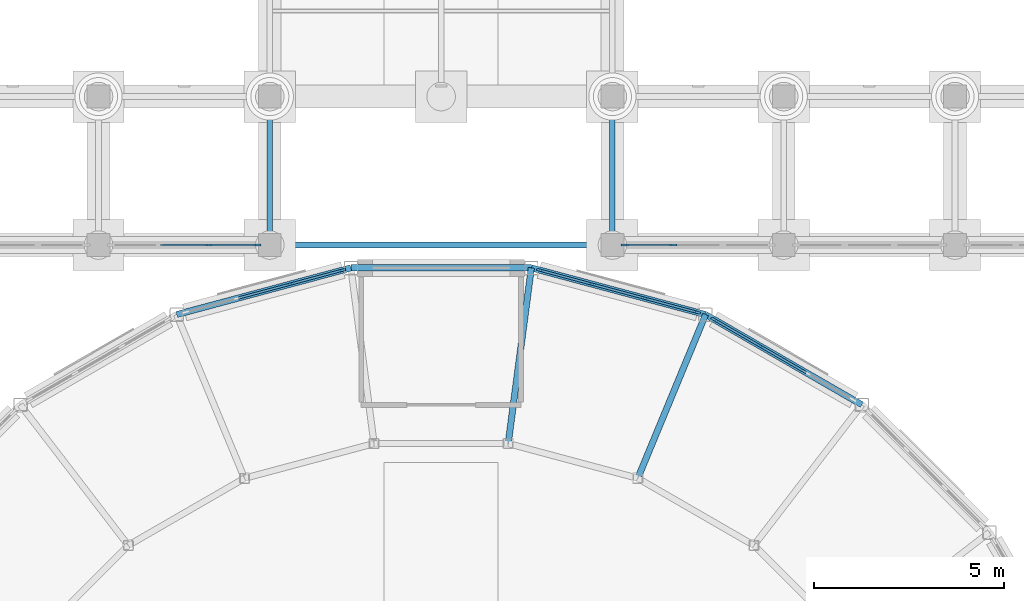
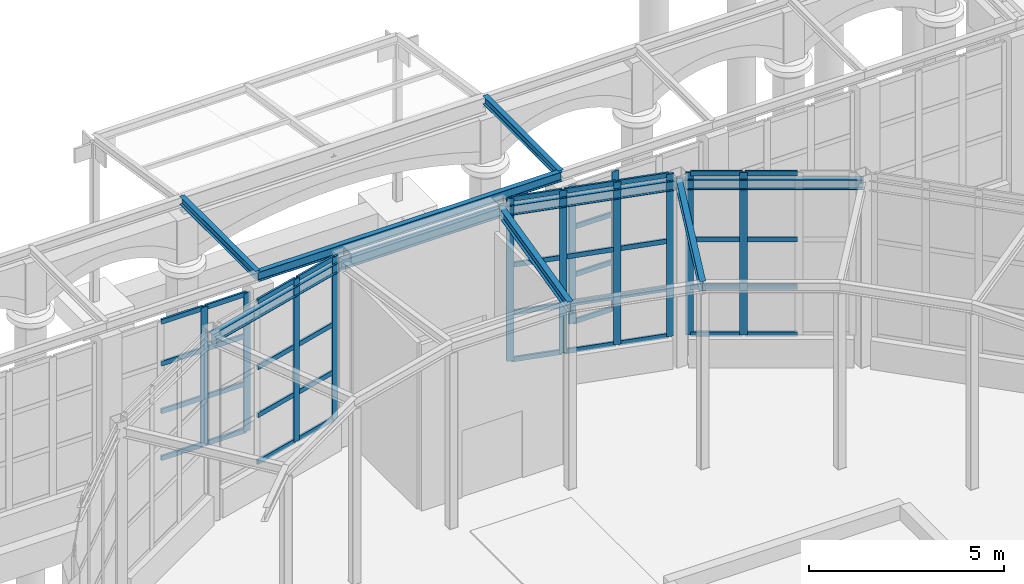
# One storey, part 35 of 106: 51 members, 9 beams, 5 elements without a shape of their own.
"""IFC4 building model written with IfcOpenShell, lengths in metres."""

from ifc_helpers import new_model, si_unit, direction, frame, origin, origin_2d, place, context, subcontext, project, spatial, rectangle, i_section, extrude, material, layer, layer_set, material_profile, profile_set, type_object, element, aggregate, save


model = new_model("IFC4")

# Units and contexts
model_context = context("Model", 3, precision=1e-05, world=origin(), true_north=direction((0.0, 1.0)))
body_context = subcontext(model_context, "Body", "Model", "MODEL_VIEW")
ifc_project = project(units=[si_unit("LENGTHUNIT", "METRE"), si_unit("AREAUNIT", "SQUARE_METRE"), si_unit("VOLUMEUNIT", "CUBIC_METRE"), si_unit("PLANEANGLEUNIT", "RADIAN"), si_unit("MASSUNIT", "GRAM", prefix="KILO")], contexts=[model_context])

# Site, building, storey
site_placement = place(None, origin())
site = spatial("IfcSite", under=ifc_project, at=site_placement, CompositionType="ELEMENT")
building_placement = place(site_placement, origin())
building = spatial("IfcBuilding", under=site, at=building_placement, Name="Hortulan Conservatory and Botanical Research Centre", CompositionType="ELEMENT")
storey_placement = place(building_placement, origin())
storey = spatial("IfcBuildingStorey", under=building, at=storey_placement, Name="L00", CompositionType="ELEMENT", Elevation=0.0)

# Beams
ifc_material_1 = material(Name="Steel Grade 300PLUS (AS/NZS 3679.1, 280 MPa minimum yield)", Category="steel")
ifc_material_profile_1 = material_profile(ifc_material_1, i_section(OverallWidth=0.14599609375, OverallDepth=0.251953125, WebThickness=0.006103515625, FlangeThickness=0.008544921875, FilletRadius=0.0087890625, at=origin_2d()), Name="250UB31.4")
ifc_profile_set_1 = profile_set([ifc_material_profile_1], Name="Steel Grade 300PLUS (AS/NZS 3679.1, 280 MPa minimum yield)")
beam_type_1 = type_object("IfcBeamType", Name="Arcade Cross Beam 250UB31.4", PredefinedType="BEAM", material=ifc_profile_set_1)
for number, where, z_axis, x_axis, name in (
    (1, (49.5, 36.60009765625, 5.674072265625), (0.0, 1.0, 0.0), (-1.0, 0.0, 0.0), "Arcade cross beam 22"),
    (2, (58.5, 36.60009765625, 5.674072265625), (0.0, 1.0, 0.0), (-1.0, 0.0, 0.0), "Arcade cross beam 23"),
):
    element("IfcBeam", number, at=place(storey_placement, frame(where, z_axis=z_axis, x_axis=x_axis)), inside=storey, type_object=beam_type_1, Name=name, PredefinedType="BEAM", context=body_context, shape_type="SweptSolid", body=[
        extrude(i_section(OverallWidth=0.14599609375, OverallDepth=0.251953125, WebThickness=0.006103515625, FlangeThickness=0.008544921875, FilletRadius=0.0087890625, at=origin_2d()), origin(), (0.0, 0.0, 1.0), 3.89990234375),
    ])
ifc_material_profile_2 = material_profile(ifc_material_1, i_section(OverallWidth=0.14892578125, OverallDepth=0.298095703125, WebThickness=0.005615234375, FlangeThickness=0.008056640625, FilletRadius=0.012939453125, at=origin_2d()), Name="310UB32.0")
ifc_profile_set_2 = profile_set([ifc_material_profile_2], Name="Steel Grade 300PLUS (AS/NZS 3679.1, 280 MPa minimum yield)")
beam_type_2 = type_object("IfcBeamType", Name="Arcade Rear Beam 310UB32.0", PredefinedType="BEAM", material=ifc_profile_set_2)
beam_1_placement = place(storey_placement, frame((49.5, 36.60009765625, 5.65087890625), z_axis=(1.0, 0.0, 0.0), x_axis=(0.0, 1.0, 0.0)))
element("IfcBeam", 3, at=beam_1_placement, inside=storey, type_object=beam_type_2, Name="Arcade rear beam 14", PredefinedType="BEAM", context=body_context, shape_type="SweptSolid", body=[
    extrude(i_section(OverallWidth=0.14892578125, OverallDepth=0.298095703125, WebThickness=0.005615234375, FlangeThickness=0.008056640625, FilletRadius=0.012939453125, at=origin_2d()), origin(), (0.0, 0.0, 1.0), 9.0),
])

# Curtain wall, members
ifc_material_2 = material(Name="Bronze-finished aluminium", Category="aluminium")
ifc_layer = layer(ifc_material_2, 0.10009765625)
ifc_layer_set = layer_set([ifc_layer], Name="Bronze-framed Curtain Wall 1500 module")
curtain_wall_type = type_object("IfcCurtainWallType", Name="Bronze-framed Curtain Wall 1500 module", PredefinedType="NOTDEFINED", material=ifc_layer_set)
curtain_wall_1_placement = place(storey_placement, origin())
curtain_wall_1 = element("IfcCurtainWall", 4, at=curtain_wall_1_placement, inside=storey, type_object=curtain_wall_type, Name="Curtain wall", PredefinedType="NOTDEFINED")
ifc_material_profile_3 = material_profile(ifc_material_2, rectangle(XDim=0.06005859375, YDim=0.199951171875, at=origin_2d()), Name="Bronze Mullion 60x200")
ifc_profile_set_3 = profile_set([ifc_material_profile_3], Name="Bronze-finished aluminium")
member_type_1 = type_object("IfcMemberType", Name="Bronze Mullion 60x200", PredefinedType="MULLION", material=ifc_profile_set_3)
member_1_placement = place(storey_placement, frame((61.18115234375, 34.638671875, 0.89990234375), z_axis=(0.0, 0.0, 1.0), x_axis=(0.499981160235, 0.866036280655, 0.0)))
member_1 = element("IfcMember", 5, at=member_1_placement, type_object=member_type_1, Name="CW1 mullion 1", PredefinedType="MULLION", context=body_context, shape_type="SweptSolid", body=[
    extrude(rectangle(XDim=0.06005859375, YDim=0.199951171875, at=origin_2d()), origin(), (0.0, 0.0, 1.0), 5.10009765625),
])
member_2_placement = place(storey_placement, frame((62.385009765625, 33.943603515625, 0.89990234375), z_axis=(0.0, 0.0, 1.0), x_axis=(0.499981160235, 0.866036280655, 0.0)))
member_2 = element("IfcMember", 6, at=member_2_placement, type_object=member_type_1, Name="CW1 mullion 2", PredefinedType="MULLION", context=body_context, shape_type="SweptSolid", body=[
    extrude(rectangle(XDim=0.06005859375, YDim=0.199951171875, at=origin_2d()), origin(), (0.0, 0.0, 1.0), 5.10009765625),
])

curtain_wall_2_placement = place(storey_placement, origin())
curtain_wall_2 = element("IfcCurtainWall", 7, at=curtain_wall_2_placement, inside=storey, type_object=curtain_wall_type, Name="Curtain wall", PredefinedType="NOTDEFINED")
member_3_placement = place(storey_placement, frame((56.60595703125, 35.936767578125, 0.89990234375), z_axis=(0.0, 0.0, 1.0), x_axis=(0.258831936284, 0.965922372015, 0.0)))
member_3 = element("IfcMember", 8, at=member_3_placement, type_object=member_type_1, Name="CW1 mullion 1", PredefinedType="MULLION", context=body_context, shape_type="SweptSolid", body=[
    extrude(rectangle(XDim=0.06005859375, YDim=0.199951171875, at=origin_2d()), origin(), (0.0, 0.0, 1.0), 5.10009765625),
])
member_4_placement = place(storey_placement, frame((57.965087890625, 35.572509765625, 0.89990234375), z_axis=(0.0, 0.0, 1.0), x_axis=(0.258831936284, 0.965922372015, 0.0)))
member_4 = element("IfcMember", 9, at=member_4_placement, type_object=member_type_1, Name="CW1 mullion 2", PredefinedType="MULLION", context=body_context, shape_type="SweptSolid", body=[
    extrude(rectangle(XDim=0.06005859375, YDim=0.199951171875, at=origin_2d()), origin(), (0.0, 0.0, 1.0), 5.10009765625),
])
member_5_placement = place(storey_placement, frame((59.35302734375, 35.20068359375, 0.89990234375), z_axis=(0.0, 0.0, 1.0), x_axis=(0.258831936284, 0.965922372015, 0.0)))
member_5 = element("IfcMember", 10, at=member_5_placement, type_object=member_type_1, Name="CW1 mullion 3", PredefinedType="MULLION", context=body_context, shape_type="SweptSolid", body=[
    extrude(rectangle(XDim=0.06005859375, YDim=0.199951171875, at=origin_2d()), origin(), (0.0, 0.0, 1.0), 5.10009765625),
])
member_6_placement = place(storey_placement, frame((60.7119140625, 34.83642578125, 0.89990234375), z_axis=(0.0, 0.0, 1.0), x_axis=(0.258831936284, 0.965922372015, 0.0)))
member_6 = element("IfcMember", 11, at=member_6_placement, type_object=member_type_1, Name="CW1 mullion 4", PredefinedType="MULLION", context=body_context, shape_type="SweptSolid", body=[
    extrude(rectangle(XDim=0.06005859375, YDim=0.199951171875, at=origin_2d()), origin(), (0.0, 0.0, 1.0), 5.10009765625),
])

curtain_wall_3_placement = place(storey_placement, origin())
curtain_wall_3 = element("IfcCurtainWall", 12, at=curtain_wall_3_placement, inside=storey, type_object=curtain_wall_type, Name="Curtain wall", PredefinedType="NOTDEFINED")
member_7_placement = place(storey_placement, frame((50.034912109375, 35.572509765625, 0.89990234375), z_axis=(0.0, 0.0, 1.0), x_axis=(-0.258831936284, 0.965922372015, 0.0)))
member_7 = element("IfcMember", 13, at=member_7_placement, type_object=member_type_1, Name="CW1 mullion 3", PredefinedType="MULLION", context=body_context, shape_type="SweptSolid", body=[
    extrude(rectangle(XDim=0.06005859375, YDim=0.199951171875, at=origin_2d()), origin(), (0.0, 0.0, 1.0), 5.10009765625),
])
member_8_placement = place(storey_placement, frame((51.39404296875, 35.936767578125, 0.89990234375), z_axis=(0.0, 0.0, 1.0), x_axis=(-0.258831936284, 0.965922372015, 0.0)))
member_8 = element("IfcMember", 14, at=member_8_placement, type_object=member_type_1, Name="CW1 mullion 4", PredefinedType="MULLION", context=body_context, shape_type="SweptSolid", body=[
    extrude(rectangle(XDim=0.06005859375, YDim=0.199951171875, at=origin_2d()), origin(), (0.0, 0.0, 1.0), 5.10009765625),
])

curtain_wall_4_placement = place(storey_placement, origin())
curtain_wall_4 = element("IfcCurtainWall", 15, at=curtain_wall_4_placement, inside=storey, type_object=curtain_wall_type, Name="Curtain wall", PredefinedType="NOTDEFINED")
member_9_placement = place(storey_placement, frame((47.89990234375, 36.60009765625, 0.89990234375), z_axis=(0.0, 0.0, 1.0), x_axis=(0.0, 1.0, 0.0)))
member_9 = element("IfcMember", 16, at=member_9_placement, type_object=member_type_1, Name="CW1 mullion 3", PredefinedType="MULLION", context=body_context, shape_type="SweptSolid", body=[
    extrude(rectangle(XDim=0.06005859375, YDim=0.199951171875, at=origin_2d()), origin(), (0.0, 0.0, 1.0), 4.340087890625),
])
member_10_placement = place(storey_placement, frame((49.169921875, 36.60009765625, 0.89990234375), z_axis=(0.0, 0.0, 1.0), x_axis=(0.0, 1.0, 0.0)))
member_10 = element("IfcMember", 17, at=member_10_placement, type_object=member_type_1, Name="CW1 mullion 4", PredefinedType="MULLION", context=body_context, shape_type="SweptSolid", body=[
    extrude(rectangle(XDim=0.06005859375, YDim=0.199951171875, at=origin_2d()), origin(), (0.0, 0.0, 1.0), 4.340087890625),
])

curtain_wall_5_placement = place(storey_placement, origin())
curtain_wall_5 = element("IfcCurtainWall", 18, at=curtain_wall_5_placement, inside=storey, type_object=curtain_wall_type, Name="Curtain wall", PredefinedType="NOTDEFINED")
member_11_placement = place(storey_placement, frame((58.830078125, 36.60009765625, 0.89990234375), z_axis=(0.0, 0.0, 1.0), x_axis=(0.0, 1.0, 0.0)))
member_11 = element("IfcMember", 19, at=member_11_placement, type_object=member_type_1, Name="CW1 mullion 1", PredefinedType="MULLION", context=body_context, shape_type="SweptSolid", body=[
    extrude(rectangle(XDim=0.06005859375, YDim=0.199951171875, at=origin_2d()), origin(), (0.0, 0.0, 1.0), 4.340087890625),
])
member_12_placement = place(storey_placement, frame((60.10009765625, 36.60009765625, 0.89990234375), z_axis=(0.0, 0.0, 1.0), x_axis=(0.0, 1.0, 0.0)))
member_12 = element("IfcMember", 20, at=member_12_placement, type_object=member_type_1, Name="CW1 mullion 2", PredefinedType="MULLION", context=body_context, shape_type="SweptSolid", body=[
    extrude(rectangle(XDim=0.06005859375, YDim=0.199951171875, at=origin_2d()), origin(), (0.0, 0.0, 1.0), 4.340087890625),
])

# Member
ifc_material_profile_4 = material_profile(ifc_material_2, rectangle(XDim=0.06005859375, YDim=0.14990234375, at=origin_2d()), Name="Bronze Transom 60x150")
ifc_profile_set_4 = profile_set([ifc_material_profile_4], Name="Bronze-finished aluminium")
member_type_2 = type_object("IfcMemberType", Name="Bronze Transom 60x150", PredefinedType="USERDEFINED", material=ifc_profile_set_4)
member_13_placement = place(storey_placement, frame((61.20703125, 34.62353515625, 0.929931640625), z_axis=(0.866066400931, -0.499928984136, 0.0), x_axis=(0.499928984136, 0.866066400931, 0.0)))
member_13 = element("IfcMember", 21, at=member_13_placement, type_object=member_type_2, Name="CW1 transom 1.1", ObjectType="TRANSOM", PredefinedType="USERDEFINED", context=body_context, shape_type="SweptSolid", body=[
    extrude(rectangle(XDim=0.06005859375, YDim=0.14990234375, at=origin_2d()), origin(), (0.0, 0.0, 1.0), 1.330322265625),
])

member_14_placement = place(storey_placement, frame((61.20703125, 34.62353515625, 2.39990234375), z_axis=(0.866066400931, -0.499928984136, 0.0), x_axis=(0.499928984136, 0.866066400931, 0.0)))
member_14 = element("IfcMember", 22, at=member_14_placement, type_object=member_type_2, Name="CW1 transom 1.2", ObjectType="TRANSOM", PredefinedType="USERDEFINED", context=body_context, shape_type="SweptSolid", body=[
    extrude(rectangle(XDim=0.06005859375, YDim=0.14990234375, at=origin_2d()), origin(), (0.0, 0.0, 1.0), 1.330322265625),
])

member_15_placement = place(storey_placement, frame((61.20703125, 34.62353515625, 3.89990234375), z_axis=(0.866066400931, -0.499928984136, 0.0), x_axis=(0.499928984136, 0.866066400931, 0.0)))
member_15 = element("IfcMember", 23, at=member_15_placement, type_object=member_type_2, Name="CW1 transom 1.3", ObjectType="TRANSOM", PredefinedType="USERDEFINED", context=body_context, shape_type="SweptSolid", body=[
    extrude(rectangle(XDim=0.06005859375, YDim=0.14990234375, at=origin_2d()), origin(), (0.0, 0.0, 1.0), 1.330322265625),
])

member_16_placement = place(storey_placement, frame((61.20703125, 34.62353515625, 5.969970703125), z_axis=(0.866066400931, -0.499928984136, 0.0), x_axis=(0.499928984136, 0.866066400931, 0.0)))
member_16 = element("IfcMember", 24, at=member_16_placement, type_object=member_type_2, Name="CW1 transom 1.4", ObjectType="TRANSOM", PredefinedType="USERDEFINED", context=body_context, shape_type="SweptSolid", body=[
    extrude(rectangle(XDim=0.06005859375, YDim=0.14990234375, at=origin_2d()), origin(), (0.0, 0.0, 1.0), 1.330322265625),
])

member_17_placement = place(storey_placement, frame((62.4111328125, 33.928466796875, 0.929931640625), z_axis=(0.866036107898, -0.499981459473, 0.0), x_axis=(0.499981459473, 0.866036107898, 0.0)))
member_17 = element("IfcMember", 25, at=member_17_placement, type_object=member_type_2, Name="CW1 transom 2.1", ObjectType="TRANSOM", PredefinedType="USERDEFINED", context=body_context, shape_type="SweptSolid", body=[
    extrude(rectangle(XDim=0.06005859375, YDim=0.14990234375, at=origin_2d()), origin(), (0.0, 0.0, 1.0), 1.35986328125),
])

member_18_placement = place(storey_placement, frame((62.4111328125, 33.928466796875, 2.39990234375), z_axis=(0.866036107898, -0.499981459473, 0.0), x_axis=(0.499981459473, 0.866036107898, 0.0)))
member_18 = element("IfcMember", 26, at=member_18_placement, type_object=member_type_2, Name="CW1 transom 2.2", ObjectType="TRANSOM", PredefinedType="USERDEFINED", context=body_context, shape_type="SweptSolid", body=[
    extrude(rectangle(XDim=0.06005859375, YDim=0.14990234375, at=origin_2d()), origin(), (0.0, 0.0, 1.0), 1.35986328125),
])

member_19_placement = place(storey_placement, frame((62.4111328125, 33.928466796875, 3.89990234375), z_axis=(0.866036107898, -0.499981459473, 0.0), x_axis=(0.499981459473, 0.866036107898, 0.0)))
member_19 = element("IfcMember", 27, at=member_19_placement, type_object=member_type_2, Name="CW1 transom 2.3", ObjectType="TRANSOM", PredefinedType="USERDEFINED", context=body_context, shape_type="SweptSolid", body=[
    extrude(rectangle(XDim=0.06005859375, YDim=0.14990234375, at=origin_2d()), origin(), (0.0, 0.0, 1.0), 1.35986328125),
])

member_20_placement = place(storey_placement, frame((62.4111328125, 33.928466796875, 5.969970703125), z_axis=(0.866036107898, -0.499981459473, 0.0), x_axis=(0.499981459473, 0.866036107898, 0.0)))
member_20 = element("IfcMember", 28, at=member_20_placement, type_object=member_type_2, Name="CW1 transom 2.4", ObjectType="TRANSOM", PredefinedType="USERDEFINED", context=body_context, shape_type="SweptSolid", body=[
    extrude(rectangle(XDim=0.06005859375, YDim=0.14990234375, at=origin_2d()), origin(), (0.0, 0.0, 1.0), 1.35986328125),
])

aggregate(curtain_wall_1, [member_1, member_2, member_13, member_14, member_15, member_16, member_17, member_18, member_19, member_20])

member_21_placement = place(storey_placement, frame((56.635009765625, 35.928955078125, 0.929931640625), z_axis=(0.965921351189, -0.258835745824, 0.0), x_axis=(0.258835745824, 0.965921351189, 0.0)))
member_21 = element("IfcMember", 29, at=member_21_placement, type_object=member_type_2, Name="CW1 transom 1.1", ObjectType="TRANSOM", PredefinedType="USERDEFINED", context=body_context, shape_type="SweptSolid", body=[
    extrude(rectangle(XDim=0.06005859375, YDim=0.14990234375, at=origin_2d()), origin(), (0.0, 0.0, 1.0), 1.346923828125),
])

member_22_placement = place(storey_placement, frame((56.635009765625, 35.928955078125, 2.39990234375), z_axis=(0.965921351189, -0.258835745824, 0.0), x_axis=(0.258835745824, 0.965921351189, 0.0)))
member_22 = element("IfcMember", 30, at=member_22_placement, type_object=member_type_2, Name="CW1 transom 1.2", ObjectType="TRANSOM", PredefinedType="USERDEFINED", context=body_context, shape_type="SweptSolid", body=[
    extrude(rectangle(XDim=0.06005859375, YDim=0.14990234375, at=origin_2d()), origin(), (0.0, 0.0, 1.0), 1.346923828125),
])

member_23_placement = place(storey_placement, frame((56.635009765625, 35.928955078125, 3.89990234375), z_axis=(0.965921351189, -0.258835745824, 0.0), x_axis=(0.258835745824, 0.965921351189, 0.0)))
member_23 = element("IfcMember", 31, at=member_23_placement, type_object=member_type_2, Name="CW1 transom 1.3", ObjectType="TRANSOM", PredefinedType="USERDEFINED", context=body_context, shape_type="SweptSolid", body=[
    extrude(rectangle(XDim=0.06005859375, YDim=0.14990234375, at=origin_2d()), origin(), (0.0, 0.0, 1.0), 1.346923828125),
])

member_24_placement = place(storey_placement, frame((56.635009765625, 35.928955078125, 5.969970703125), z_axis=(0.965921351189, -0.258835745824, 0.0), x_axis=(0.258835745824, 0.965921351189, 0.0)))
member_24 = element("IfcMember", 32, at=member_24_placement, type_object=member_type_2, Name="CW1 transom 1.4", ObjectType="TRANSOM", PredefinedType="USERDEFINED", context=body_context, shape_type="SweptSolid", body=[
    extrude(rectangle(XDim=0.06005859375, YDim=0.14990234375, at=origin_2d()), origin(), (0.0, 0.0, 1.0), 1.346923828125),
])

member_25_placement = place(storey_placement, frame((57.993896484375, 35.564697265625, 0.929931640625), z_axis=(0.965960711262, -0.258688817498, 0.0), x_axis=(0.258688817498, 0.965960711262, 0.0)))
member_25 = element("IfcMember", 33, at=member_25_placement, type_object=member_type_2, Name="CW1 transom 2.1", ObjectType="TRANSOM", PredefinedType="USERDEFINED", context=body_context, shape_type="SweptSolid", body=[
    extrude(rectangle(XDim=0.06005859375, YDim=0.14990234375, at=origin_2d()), origin(), (0.0, 0.0, 1.0), 1.376953125),
])

member_26_placement = place(storey_placement, frame((57.993896484375, 35.564697265625, 2.39990234375), z_axis=(0.965960711262, -0.258688817498, 0.0), x_axis=(0.258688817498, 0.965960711262, 0.0)))
member_26 = element("IfcMember", 34, at=member_26_placement, type_object=member_type_2, Name="CW1 transom 2.2", ObjectType="TRANSOM", PredefinedType="USERDEFINED", context=body_context, shape_type="SweptSolid", body=[
    extrude(rectangle(XDim=0.06005859375, YDim=0.14990234375, at=origin_2d()), origin(), (0.0, 0.0, 1.0), 1.376953125),
])

member_27_placement = place(storey_placement, frame((57.993896484375, 35.564697265625, 3.89990234375), z_axis=(0.965960711262, -0.258688817498, 0.0), x_axis=(0.258688817498, 0.965960711262, 0.0)))
member_27 = element("IfcMember", 35, at=member_27_placement, type_object=member_type_2, Name="CW1 transom 2.3", ObjectType="TRANSOM", PredefinedType="USERDEFINED", context=body_context, shape_type="SweptSolid", body=[
    extrude(rectangle(XDim=0.06005859375, YDim=0.14990234375, at=origin_2d()), origin(), (0.0, 0.0, 1.0), 1.376953125),
])

member_28_placement = place(storey_placement, frame((57.993896484375, 35.564697265625, 5.969970703125), z_axis=(0.965960711262, -0.258688817498, 0.0), x_axis=(0.258688817498, 0.965960711262, 0.0)))
member_28 = element("IfcMember", 36, at=member_28_placement, type_object=member_type_2, Name="CW1 transom 2.4", ObjectType="TRANSOM", PredefinedType="USERDEFINED", context=body_context, shape_type="SweptSolid", body=[
    extrude(rectangle(XDim=0.06005859375, YDim=0.14990234375, at=origin_2d()), origin(), (0.0, 0.0, 1.0), 1.376953125),
])

member_29_placement = place(storey_placement, frame((59.382080078125, 35.19287109375, 0.929931640625), z_axis=(0.965921351189, -0.258835745824, 0.0), x_axis=(0.258835745824, 0.965921351189, 0.0)))
member_29 = element("IfcMember", 37, at=member_29_placement, type_object=member_type_2, Name="CW1 transom 3.1", ObjectType="TRANSOM", PredefinedType="USERDEFINED", context=body_context, shape_type="SweptSolid", body=[
    extrude(rectangle(XDim=0.06005859375, YDim=0.14990234375, at=origin_2d()), origin(), (0.0, 0.0, 1.0), 1.346923828125),
])

member_30_placement = place(storey_placement, frame((59.382080078125, 35.19287109375, 2.39990234375), z_axis=(0.965921351189, -0.258835745824, 0.0), x_axis=(0.258835745824, 0.965921351189, 0.0)))
member_30 = element("IfcMember", 38, at=member_30_placement, type_object=member_type_2, Name="CW1 transom 3.2", ObjectType="TRANSOM", PredefinedType="USERDEFINED", context=body_context, shape_type="SweptSolid", body=[
    extrude(rectangle(XDim=0.06005859375, YDim=0.14990234375, at=origin_2d()), origin(), (0.0, 0.0, 1.0), 1.346923828125),
])

member_31_placement = place(storey_placement, frame((59.382080078125, 35.19287109375, 3.89990234375), z_axis=(0.965921351189, -0.258835745824, 0.0), x_axis=(0.258835745824, 0.965921351189, 0.0)))
member_31 = element("IfcMember", 39, at=member_31_placement, type_object=member_type_2, Name="CW1 transom 3.3", ObjectType="TRANSOM", PredefinedType="USERDEFINED", context=body_context, shape_type="SweptSolid", body=[
    extrude(rectangle(XDim=0.06005859375, YDim=0.14990234375, at=origin_2d()), origin(), (0.0, 0.0, 1.0), 1.346923828125),
])

member_32_placement = place(storey_placement, frame((59.382080078125, 35.19287109375, 5.969970703125), z_axis=(0.965921351189, -0.258835745824, 0.0), x_axis=(0.258835745824, 0.965921351189, 0.0)))
member_32 = element("IfcMember", 40, at=member_32_placement, type_object=member_type_2, Name="CW1 transom 3.4", ObjectType="TRANSOM", PredefinedType="USERDEFINED", context=body_context, shape_type="SweptSolid", body=[
    extrude(rectangle(XDim=0.06005859375, YDim=0.14990234375, at=origin_2d()), origin(), (0.0, 0.0, 1.0), 1.346923828125),
])

aggregate(curtain_wall_2, [member_3, member_4, member_5, member_6, member_21, member_22, member_23, member_24, member_25, member_26, member_27, member_28, member_29, member_30, member_31, member_32])

member_33_placement = place(storey_placement, frame((48.676025390625, 35.20849609375, 0.929931640625), z_axis=(0.965960711262, 0.258688817498, 0.0), x_axis=(-0.258688817498, 0.965960711262, 0.0)))
member_33 = element("IfcMember", 41, at=member_33_placement, type_object=member_type_2, Name="CW1 transom 2.1", ObjectType="TRANSOM", PredefinedType="USERDEFINED", context=body_context, shape_type="SweptSolid", body=[
    extrude(rectangle(XDim=0.06005859375, YDim=0.14990234375, at=origin_2d()), origin(), (0.0, 0.0, 1.0), 1.376953125),
])

member_34_placement = place(storey_placement, frame((48.676025390625, 35.20849609375, 2.39990234375), z_axis=(0.965960711262, 0.258688817498, 0.0), x_axis=(-0.258688817498, 0.965960711262, 0.0)))
member_34 = element("IfcMember", 42, at=member_34_placement, type_object=member_type_2, Name="CW1 transom 2.2", ObjectType="TRANSOM", PredefinedType="USERDEFINED", context=body_context, shape_type="SweptSolid", body=[
    extrude(rectangle(XDim=0.06005859375, YDim=0.14990234375, at=origin_2d()), origin(), (0.0, 0.0, 1.0), 1.376953125),
])

member_35_placement = place(storey_placement, frame((48.676025390625, 35.20849609375, 3.89990234375), z_axis=(0.965960711262, 0.258688817498, 0.0), x_axis=(-0.258688817498, 0.965960711262, 0.0)))
member_35 = element("IfcMember", 43, at=member_35_placement, type_object=member_type_2, Name="CW1 transom 2.3", ObjectType="TRANSOM", PredefinedType="USERDEFINED", context=body_context, shape_type="SweptSolid", body=[
    extrude(rectangle(XDim=0.06005859375, YDim=0.14990234375, at=origin_2d()), origin(), (0.0, 0.0, 1.0), 1.376953125),
])

member_36_placement = place(storey_placement, frame((48.676025390625, 35.20849609375, 5.969970703125), z_axis=(0.965960711262, 0.258688817498, 0.0), x_axis=(-0.258688817498, 0.965960711262, 0.0)))
member_36 = element("IfcMember", 44, at=member_36_placement, type_object=member_type_2, Name="CW1 transom 2.4", ObjectType="TRANSOM", PredefinedType="USERDEFINED", context=body_context, shape_type="SweptSolid", body=[
    extrude(rectangle(XDim=0.06005859375, YDim=0.14990234375, at=origin_2d()), origin(), (0.0, 0.0, 1.0), 1.376953125),
])

member_37_placement = place(storey_placement, frame((50.06396484375, 35.580322265625, 0.929931640625), z_axis=(0.965921351189, 0.258835745824, 0.0), x_axis=(-0.258835745824, 0.965921351189, 0.0)))
member_37 = element("IfcMember", 45, at=member_37_placement, type_object=member_type_2, Name="CW1 transom 3.1", ObjectType="TRANSOM", PredefinedType="USERDEFINED", context=body_context, shape_type="SweptSolid", body=[
    extrude(rectangle(XDim=0.06005859375, YDim=0.14990234375, at=origin_2d()), origin(), (0.0, 0.0, 1.0), 1.346923828125),
])

member_38_placement = place(storey_placement, frame((50.06396484375, 35.580322265625, 2.39990234375), z_axis=(0.965921351189, 0.258835745824, 0.0), x_axis=(-0.258835745824, 0.965921351189, 0.0)))
member_38 = element("IfcMember", 46, at=member_38_placement, type_object=member_type_2, Name="CW1 transom 3.2", ObjectType="TRANSOM", PredefinedType="USERDEFINED", context=body_context, shape_type="SweptSolid", body=[
    extrude(rectangle(XDim=0.06005859375, YDim=0.14990234375, at=origin_2d()), origin(), (0.0, 0.0, 1.0), 1.346923828125),
])

member_39_placement = place(storey_placement, frame((50.06396484375, 35.580322265625, 3.89990234375), z_axis=(0.965921351189, 0.258835745824, 0.0), x_axis=(-0.258835745824, 0.965921351189, 0.0)))
member_39 = element("IfcMember", 47, at=member_39_placement, type_object=member_type_2, Name="CW1 transom 3.3", ObjectType="TRANSOM", PredefinedType="USERDEFINED", context=body_context, shape_type="SweptSolid", body=[
    extrude(rectangle(XDim=0.06005859375, YDim=0.14990234375, at=origin_2d()), origin(), (0.0, 0.0, 1.0), 1.346923828125),
])

member_40_placement = place(storey_placement, frame((50.06396484375, 35.580322265625, 5.969970703125), z_axis=(0.965921351189, 0.258835745824, 0.0), x_axis=(-0.258835745824, 0.965921351189, 0.0)))
member_40 = element("IfcMember", 48, at=member_40_placement, type_object=member_type_2, Name="CW1 transom 3.4", ObjectType="TRANSOM", PredefinedType="USERDEFINED", context=body_context, shape_type="SweptSolid", body=[
    extrude(rectangle(XDim=0.06005859375, YDim=0.14990234375, at=origin_2d()), origin(), (0.0, 0.0, 1.0), 1.346923828125),
])

aggregate(curtain_wall_3, [member_7, member_8, member_33, member_34, member_35, member_36, member_37, member_38, member_39, member_40])

member_41_placement = place(storey_placement, frame((46.6298828125, 36.60009765625, 0.929931640625), z_axis=(1.0, 0.0, 0.0), x_axis=(0.0, 1.0, 0.0)))
member_41 = element("IfcMember", 49, at=member_41_placement, type_object=member_type_2, Name="CW1 transom 2.1", ObjectType="TRANSOM", PredefinedType="USERDEFINED", context=body_context, shape_type="SweptSolid", body=[
    extrude(rectangle(XDim=0.06005859375, YDim=0.14990234375, at=origin_2d()), origin(), (0.0, 0.0, 1.0), 1.240234375),
])

member_42_placement = place(storey_placement, frame((46.6298828125, 36.60009765625, 2.39990234375), z_axis=(1.0, 0.0, 0.0), x_axis=(0.0, 1.0, 0.0)))
member_42 = element("IfcMember", 50, at=member_42_placement, type_object=member_type_2, Name="CW1 transom 2.2", ObjectType="TRANSOM", PredefinedType="USERDEFINED", context=body_context, shape_type="SweptSolid", body=[
    extrude(rectangle(XDim=0.06005859375, YDim=0.14990234375, at=origin_2d()), origin(), (0.0, 0.0, 1.0), 1.240234375),
])

member_43_placement = place(storey_placement, frame((46.6298828125, 36.60009765625, 3.89990234375), z_axis=(1.0, 0.0, 0.0), x_axis=(0.0, 1.0, 0.0)))
member_43 = element("IfcMember", 51, at=member_43_placement, type_object=member_type_2, Name="CW1 transom 2.3", ObjectType="TRANSOM", PredefinedType="USERDEFINED", context=body_context, shape_type="SweptSolid", body=[
    extrude(rectangle(XDim=0.06005859375, YDim=0.14990234375, at=origin_2d()), origin(), (0.0, 0.0, 1.0), 1.240234375),
])

member_44_placement = place(storey_placement, frame((46.6298828125, 36.60009765625, 5.2099609375), z_axis=(1.0, 0.0, 0.0), x_axis=(0.0, 1.0, 0.0)))
member_44 = element("IfcMember", 52, at=member_44_placement, type_object=member_type_2, Name="CW1 transom 2.4", ObjectType="TRANSOM", PredefinedType="USERDEFINED", context=body_context, shape_type="SweptSolid", body=[
    extrude(rectangle(XDim=0.06005859375, YDim=0.14990234375, at=origin_2d()), origin(), (0.0, 0.0, 1.0), 1.240234375),
])

member_45_placement = place(storey_placement, frame((47.929931640625, 36.60009765625, 0.929931640625), z_axis=(1.0, 0.0, 0.0), x_axis=(0.0, 1.0, 0.0)))
member_45 = element("IfcMember", 53, at=member_45_placement, type_object=member_type_2, Name="CW1 transom 3.1", ObjectType="TRANSOM", PredefinedType="USERDEFINED", context=body_context, shape_type="SweptSolid", body=[
    extrude(rectangle(XDim=0.06005859375, YDim=0.14990234375, at=origin_2d()), origin(), (0.0, 0.0, 1.0), 1.2099609375),
])

member_46_placement = place(storey_placement, frame((47.929931640625, 36.60009765625, 2.39990234375), z_axis=(1.0, 0.0, 0.0), x_axis=(0.0, 1.0, 0.0)))
member_46 = element("IfcMember", 54, at=member_46_placement, type_object=member_type_2, Name="CW1 transom 3.2", ObjectType="TRANSOM", PredefinedType="USERDEFINED", context=body_context, shape_type="SweptSolid", body=[
    extrude(rectangle(XDim=0.06005859375, YDim=0.14990234375, at=origin_2d()), origin(), (0.0, 0.0, 1.0), 1.2099609375),
])

member_47_placement = place(storey_placement, frame((47.929931640625, 36.60009765625, 3.89990234375), z_axis=(1.0, 0.0, 0.0), x_axis=(0.0, 1.0, 0.0)))
member_47 = element("IfcMember", 55, at=member_47_placement, type_object=member_type_2, Name="CW1 transom 3.3", ObjectType="TRANSOM", PredefinedType="USERDEFINED", context=body_context, shape_type="SweptSolid", body=[
    extrude(rectangle(XDim=0.06005859375, YDim=0.14990234375, at=origin_2d()), origin(), (0.0, 0.0, 1.0), 1.2099609375),
])

member_48_placement = place(storey_placement, frame((47.929931640625, 36.60009765625, 5.2099609375), z_axis=(1.0, 0.0, 0.0), x_axis=(0.0, 1.0, 0.0)))
member_48 = element("IfcMember", 56, at=member_48_placement, type_object=member_type_2, Name="CW1 transom 3.4", ObjectType="TRANSOM", PredefinedType="USERDEFINED", context=body_context, shape_type="SweptSolid", body=[
    extrude(rectangle(XDim=0.06005859375, YDim=0.14990234375, at=origin_2d()), origin(), (0.0, 0.0, 1.0), 1.2099609375),
])

aggregate(curtain_wall_4, [member_9, member_10, member_41, member_42, member_43, member_44, member_45, member_46, member_47, member_48])

member_49_placement = place(storey_placement, frame((58.860107421875, 36.60009765625, 0.929931640625), z_axis=(1.0, 0.0, 0.0), x_axis=(0.0, 1.0, 0.0)))
member_49 = element("IfcMember", 57, at=member_49_placement, type_object=member_type_2, Name="CW1 transom 1.1", ObjectType="TRANSOM", PredefinedType="USERDEFINED", context=body_context, shape_type="SweptSolid", body=[
    extrude(rectangle(XDim=0.06005859375, YDim=0.14990234375, at=origin_2d()), origin(), (0.0, 0.0, 1.0), 1.2099609375),
])

member_50_placement = place(storey_placement, frame((58.860107421875, 36.60009765625, 2.39990234375), z_axis=(1.0, 0.0, 0.0), x_axis=(0.0, 1.0, 0.0)))
member_50 = element("IfcMember", 58, at=member_50_placement, type_object=member_type_2, Name="CW1 transom 1.2", ObjectType="TRANSOM", PredefinedType="USERDEFINED", context=body_context, shape_type="SweptSolid", body=[
    extrude(rectangle(XDim=0.06005859375, YDim=0.14990234375, at=origin_2d()), origin(), (0.0, 0.0, 1.0), 1.2099609375),
])

member_51_placement = place(storey_placement, frame((58.860107421875, 36.60009765625, 3.89990234375), z_axis=(1.0, 0.0, 0.0), x_axis=(0.0, 1.0, 0.0)))
member_51 = element("IfcMember", 59, at=member_51_placement, type_object=member_type_2, Name="CW1 transom 1.3", ObjectType="TRANSOM", PredefinedType="USERDEFINED", context=body_context, shape_type="SweptSolid", body=[
    extrude(rectangle(XDim=0.06005859375, YDim=0.14990234375, at=origin_2d()), origin(), (0.0, 0.0, 1.0), 1.2099609375),
])

aggregate(curtain_wall_5, [member_11, member_12, member_49, member_50, member_51])

# Beams
ifc_material_profile_5 = material_profile(ifc_material_1, i_section(OverallWidth=0.166015625, OverallDepth=0.306884765625, WebThickness=0.006591796875, FlangeThickness=0.01171875, FilletRadius=0.011474609375, at=origin_2d()), Name="310UB46.2")
ifc_profile_set_5 = profile_set([ifc_material_profile_5], Name="Steel Grade 300PLUS (AS/NZS 3679.1, 280 MPa minimum yield)")
beam_type_3 = type_object("IfcBeamType", Name="Dome Canopy Walk Beam 310UB46.2", PredefinedType="BEAM", material=ifc_profile_set_5)
for number, where, z_axis, x_axis, name in (
    (60, (59.166259765625, 30.472412109375, 5.646484375), (0.382693006879, 0.92387556656, 0.0), (-0.92387556656, 0.382693006879, 0.0), "Canopy walk radial beam 05"),
    (61, (55.76220703125, 31.384521484375, 5.646484375), (0.130480288196, 0.991450903672, 0.0), (-0.991450903672, 0.130480288196, 0.0), "Canopy walk radial beam 06"),
):
    element("IfcBeam", number, at=place(storey_placement, frame(where, z_axis=z_axis, x_axis=x_axis)), inside=storey, type_object=beam_type_3, Name=name, PredefinedType="BEAM", context=body_context, shape_type="SweptSolid", body=[
        extrude(i_section(OverallWidth=0.166015625, OverallDepth=0.306884765625, WebThickness=0.006591796875, FlangeThickness=0.01171875, FilletRadius=0.011474609375, at=origin_2d()), origin(), (0.0, 0.0, 1.0), 4.6552734375),
    ])
beam_2_placement = place(storey_placement, frame((65.05224609375, 32.403564453125, 5.646484375), z_axis=(-0.866034609785, 0.4999840544, 0.0), x_axis=(-0.4999840544, -0.866034609785, 0.0)))
element("IfcBeam", 62, at=beam_2_placement, inside=storey, type_object=beam_type_3, Name="Canopy walk edge beam 04", PredefinedType="BEAM", context=body_context, shape_type="SweptSolid", body=[
    extrude(i_section(OverallWidth=0.166015625, OverallDepth=0.306884765625, WebThickness=0.006591796875, FlangeThickness=0.01171875, FilletRadius=0.011474609375, at=origin_2d()), origin(), (0.0, 0.0, 1.0), 4.739501953125),
])
beam_3_placement = place(storey_placement, frame((60.94775390625, 34.773193359375, 5.646484375), z_axis=(-0.965920459439, 0.258839073629, 0.0), x_axis=(-0.258839073629, -0.965920459439, 0.0)))
element("IfcBeam", 63, at=beam_3_placement, inside=storey, type_object=beam_type_3, Name="Canopy walk edge beam 05", PredefinedType="BEAM", context=body_context, shape_type="SweptSolid", body=[
    extrude(i_section(OverallWidth=0.166015625, OverallDepth=0.306884765625, WebThickness=0.006591796875, FlangeThickness=0.01171875, FilletRadius=0.011474609375, at=origin_2d()), origin(), (0.0, 0.0, 1.0), 4.73974609375),
])
beam_4_placement = place(storey_placement, frame((56.36962890625, 36.0, 5.646484375), z_axis=(-1.0, 0.0, 0.0), x_axis=(0.0, -1.0, 0.0)))
element("IfcBeam", 64, at=beam_4_placement, inside=storey, type_object=beam_type_3, Name="Canopy walk edge beam 06", PredefinedType="BEAM", context=body_context, shape_type="SweptSolid", body=[
    extrude(i_section(OverallWidth=0.166015625, OverallDepth=0.306884765625, WebThickness=0.006591796875, FlangeThickness=0.01171875, FilletRadius=0.011474609375, at=origin_2d()), origin(), (0.0, 0.0, 1.0), 4.7392578125),
])
beam_5_placement = place(storey_placement, frame((51.63037109375, 36.0, 5.646484375), z_axis=(-0.965920459439, -0.258839073629, 0.0), x_axis=(0.258839073629, -0.965920459439, 0.0)))
element("IfcBeam", 65, at=beam_5_placement, inside=storey, type_object=beam_type_3, Name="Canopy walk edge beam 07", PredefinedType="BEAM", context=body_context, shape_type="SweptSolid", body=[
    extrude(i_section(OverallWidth=0.166015625, OverallDepth=0.306884765625, WebThickness=0.006591796875, FlangeThickness=0.01171875, FilletRadius=0.011474609375, at=origin_2d()), origin(), (0.0, 0.0, 1.0), 4.73974609375),
])

save(model, "model.ifc")
